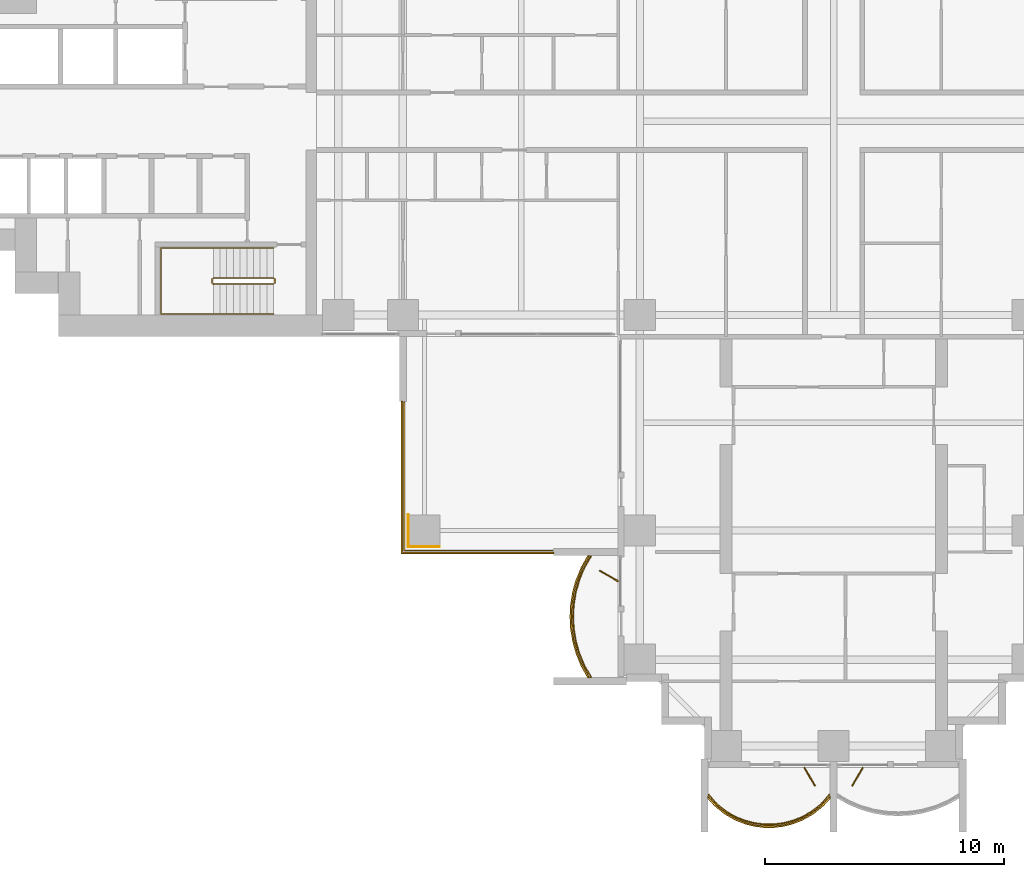
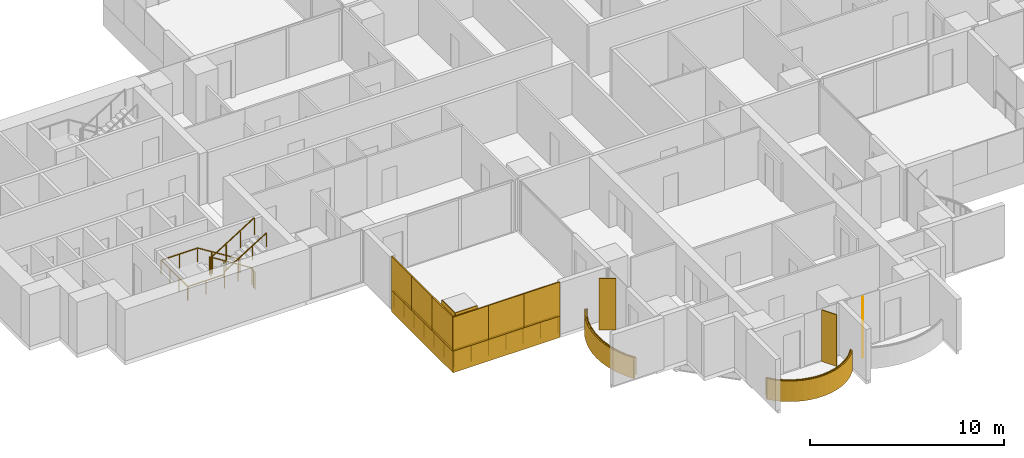
# One storey, part 17 of 20: 11 coverings, 5 railings, 3 shading devices.
"""IFC4 building model written with IfcOpenShell, lengths in metres."""

from ifc_helpers import new_model, si_unit, direction, frame, origin, origin_2d, place, context, subcontext, project, spatial, polyline, rectangle, outline, extrude, material, layer, layer_set, type_object, element, save


model = new_model("IFC4")

# Units and contexts
model_context = context("Model", 3, precision=1e-05, world=origin(), true_north=direction((0.0, 1.0)))
body_context = subcontext(model_context, "Body", "Model", "MODEL_VIEW")
ifc_project = project(units=[si_unit("LENGTHUNIT", "METRE"), si_unit("AREAUNIT", "SQUARE_METRE"), si_unit("VOLUMEUNIT", "CUBIC_METRE"), si_unit("PLANEANGLEUNIT", "RADIAN"), si_unit("MASSUNIT", "GRAM", prefix="KILO")], contexts=[model_context])

# Site, building, storey
site_placement = place(None, origin())
site = spatial("IfcSite", under=ifc_project, at=site_placement, CompositionType="ELEMENT")
building_placement = place(site_placement, origin())
building = spatial("IfcBuilding", under=site, at=building_placement, Name="Perihelion Cross Residences", CompositionType="ELEMENT")
storey_placement = place(building_placement, frame((0.0, 0.0, 82.0)))
storey = spatial("IfcBuildingStorey", under=building, at=storey_placement, Name="L18", CompositionType="ELEMENT", Elevation=82.0)

# Coverings
ifc_material_1 = material(Name="Bronze anodised aluminium", Category="aluminium")
ifc_layer_1 = layer(ifc_material_1, 0.070068359375)
ifc_layer_set_1 = layer_set([ifc_layer_1], Name="Balcony fascia 1300")
covering_type_1 = type_object("IfcCoveringType", Name="Balcony fascia 1300", PredefinedType="CLADDING", material=ifc_layer_set_1)
covering_1_placement = place(storey_placement, frame((0.0, 0.0, -0.199951171875)))
element("IfcCovering", 1, at=covering_1_placement, inside=storey, type_object=covering_type_1, Name="Fascia BF1 L18 south side west bay 2", PredefinedType="CLADDING", context=body_context, shape_type="SweptSolid", body=[
    extrude(outline(polyline([(-10.54833984375, -18.629638671875), (-10.7607421875, -19.147216796875), (-10.906494140625, -19.664794921875), (-10.991943359375, -20.182373046875), (-11.02001953125, -20.699951171875), (-10.991943359375, -21.217529296875), (-10.906494140625, -21.735107421875), (-10.7607421875, -22.2529296875), (-10.54833984375, -22.7705078125), (-10.2802734375, -23.25), (-10.199951171875, -23.25), (-10.4853515625, -22.739990234375), (-10.694580078125, -22.22998046875), (-10.838134765625, -21.719970703125), (-10.92236328125, -21.2099609375), (-10.949951171875, -20.699951171875), (-10.92236328125, -20.18994140625), (-10.838134765625, -19.679931640625), (-10.694580078125, -19.169921875), (-10.4853515625, -18.659912109375), (-10.199951171875, -18.14990234375), (-10.2802734375, -18.14990234375), (-10.54833984375, -18.629638671875)])), origin(), (0.0, 0.0, 1.0), 1.300048828125),
])
covering_2_placement = place(storey_placement, frame((0.0, 0.0, -0.199951171875)))
element("IfcCovering", 2, at=covering_2_placement, inside=storey, type_object=covering_type_1, Name="Fascia BF1 L18 south tip south bay 1", PredefinedType="CLADDING", context=body_context, shape_type="SweptSolid", body=[
    extrude(outline(polyline([(-4.90478515625, -28.674072265625), (-4.50390625, -28.982666015625), (-4.10302734375, -29.20654296875), (-3.7021484375, -29.364013671875), (-3.30126953125, -29.464599609375), (-2.900390625, -29.513916015625), (-2.49951171875, -29.513916015625), (-2.0986328125, -29.464599609375), (-1.69775390625, -29.364013671875), (-1.296875, -29.20654296875), (-0.89599609375, -28.982666015625), (-0.4951171875, -28.674072265625), (-0.14990234375, -28.302734375), (-0.14990234375, -28.199951171875), (-0.542236328125, -28.622314453125), (-0.9345703125, -28.924072265625), (-1.326904296875, -29.143310546875), (-1.71923828125, -29.29736328125), (-2.111572265625, -29.39599609375), (-2.50390625, -29.444091796875), (-2.896240234375, -29.444091796875), (-3.28857421875, -29.39599609375), (-3.6806640625, -29.29736328125), (-4.072998046875, -29.143310546875), (-4.46533203125, -28.924072265625), (-4.857666015625, -28.622314453125), (-5.25, -28.199951171875), (-5.25, -28.302734375), (-4.90478515625, -28.674072265625)])), origin(), (0.0, 0.0, 1.0), 1.300048828125),
])

# Railings
ifc_material_2 = material(Name="Bronze anodised aluminium", Category="aluminium")
railing_type_1 = type_object("IfcRailingType", Name="Balcony guard 1100", PredefinedType="GUARDRAIL", material=ifc_material_2)
railing_1_placement = place(storey_placement, frame((-10.139892578125, -18.175048828125, 0.0)))
element("IfcRailing", 3, at=railing_1_placement, inside=storey, type_object=railing_type_1, Name="Guard GU1 L18 south side west bay 2 balcony", PredefinedType="GUARDRAIL", context=body_context, shape_type="SweptSolid", body=[
    extrude(rectangle(XDim=0.048095703125, YDim=0.048095703125, at=origin_2d()), frame((0.0, 0.0, 1.076171875), z_axis=(-0.507266632806, -0.861789164031, 0.0), x_axis=(0.861789164031, -0.507266632806, 0.0)), (0.0, 0.0, 1.0), 0.562744140625),
    extrude(rectangle(XDim=0.048095703125, YDim=0.048095703125, at=origin_2d()), frame((-0.285400390625, -0.48486328125, 1.076171875), z_axis=(-0.379546636342, -0.925172605972, 0.0), x_axis=(0.925172605972, -0.379546636342, 0.0)), (0.0, 0.0, 1.0), 0.55126953125),
    extrude(rectangle(XDim=0.048095703125, YDim=0.048095703125, at=origin_2d()), frame((-0.49462890625, -0.994873046875, 1.076171875), z_axis=(-0.271372618732, -0.962474364231, 0.0), x_axis=(0.962474364231, -0.271372618732, 0.0)), (0.0, 0.0, 1.0), 0.52978515625),
    extrude(rectangle(XDim=0.048095703125, YDim=0.048095703125, at=origin_2d()), frame((-0.638427734375, -1.5048828125, 1.076171875), z_axis=(-0.162483799314, -0.986711211531, 0.0), x_axis=(0.986711211531, -0.162483799314, 0.0)), (0.0, 0.0, 1.0), 0.516845703125),
    extrude(rectangle(XDim=0.048095703125, YDim=0.048095703125, at=origin_2d()), frame((-0.722412109375, -2.014892578125, 1.076171875), z_axis=(-0.05401390175, -0.998540183677, 0.0), x_axis=(0.998540183677, -0.05401390175, 0.0)), (0.0, 0.0, 1.0), 0.5107421875),
    extrude(rectangle(XDim=0.048095703125, YDim=0.048095703125, at=origin_2d()), frame((-0.75, -2.52490234375, 1.076171875), z_axis=(0.05401390175, -0.998540183677, 0.0), x_axis=(0.998540183677, 0.05401390175, 0.0)), (0.0, 0.0, 1.0), 0.5107421875),
    extrude(rectangle(XDim=0.048095703125, YDim=0.048095703125, at=origin_2d()), frame((-0.722412109375, -3.034912109375, 1.076171875), z_axis=(0.162483799314, -0.986711211531, 0.0), x_axis=(0.986711211531, 0.162483799314, 0.0)), (0.0, 0.0, 1.0), 0.516845703125),
    extrude(rectangle(XDim=0.048095703125, YDim=0.048095703125, at=origin_2d()), frame((-0.638427734375, -3.544921875, 1.076171875), z_axis=(0.271372618732, -0.962474364231, 0.0), x_axis=(0.962474364231, 0.271372618732, 0.0)), (0.0, 0.0, 1.0), 0.52978515625),
    extrude(rectangle(XDim=0.048095703125, YDim=0.048095703125, at=origin_2d()), frame((-0.49462890625, -4.054931640625, 1.076171875), z_axis=(0.379546636342, -0.925172605972, 0.0), x_axis=(0.925172605972, 0.379546636342, 0.0)), (0.0, 0.0, 1.0), 0.55126953125),
    extrude(rectangle(XDim=0.048095703125, YDim=0.048095703125, at=origin_2d()), frame((-0.285400390625, -4.56494140625, 1.076171875), z_axis=(0.507076995033, -0.861900760591, 0.0), x_axis=(0.861900760591, 0.507076995033, 0.0)), (0.0, 0.0, 1.0), 0.562744140625),
    extrude(rectangle(XDim=0.0419921875, YDim=0.0419921875, at=origin_2d()), origin(), (0.0, 0.0, 1.0), 1.052001953125),
    extrude(rectangle(XDim=0.0419921875, YDim=0.0419921875, at=origin_2d()), frame((-0.285400390625, -0.48486328125, 0.0)), (0.0, 0.0, 1.0), 1.052001953125),
    extrude(rectangle(XDim=0.0419921875, YDim=0.0419921875, at=origin_2d()), frame((-0.49462890625, -0.994873046875, 0.0)), (0.0, 0.0, 1.0), 1.052001953125),
    extrude(rectangle(XDim=0.0419921875, YDim=0.0419921875, at=origin_2d()), frame((-0.638427734375, -1.5048828125, 0.0)), (0.0, 0.0, 1.0), 1.052001953125),
    extrude(rectangle(XDim=0.0419921875, YDim=0.0419921875, at=origin_2d()), frame((-0.722412109375, -2.014892578125, 0.0)), (0.0, 0.0, 1.0), 1.052001953125),
    extrude(rectangle(XDim=0.0419921875, YDim=0.0419921875, at=origin_2d()), frame((-0.75, -2.52490234375, 0.0)), (0.0, 0.0, 1.0), 1.052001953125),
    extrude(rectangle(XDim=0.0419921875, YDim=0.0419921875, at=origin_2d()), frame((-0.722412109375, -3.034912109375, 0.0)), (0.0, 0.0, 1.0), 1.052001953125),
    extrude(rectangle(XDim=0.0419921875, YDim=0.0419921875, at=origin_2d()), frame((-0.638427734375, -3.544921875, 0.0)), (0.0, 0.0, 1.0), 1.052001953125),
    extrude(rectangle(XDim=0.0419921875, YDim=0.0419921875, at=origin_2d()), frame((-0.49462890625, -4.054931640625, 0.0)), (0.0, 0.0, 1.0), 1.052001953125),
    extrude(rectangle(XDim=0.0419921875, YDim=0.0419921875, at=origin_2d()), frame((-0.285400390625, -4.56494140625, 0.0)), (0.0, 0.0, 1.0), 1.052001953125),
    extrude(rectangle(XDim=0.0419921875, YDim=0.0419921875, at=origin_2d()), frame((0.0, -5.050048828125, 0.0)), (0.0, 0.0, 1.0), 1.052001953125),
])
railing_2_placement = place(storey_placement, frame((-5.22509765625, -28.139892578125, 0.0)))
element("IfcRailing", 4, at=railing_2_placement, inside=storey, type_object=railing_type_1, Name="Guard GU1 L18 south tip south bay 1 balcony", PredefinedType="GUARDRAIL", context=body_context, shape_type="SweptSolid", body=[
    extrude(rectangle(XDim=0.048095703125, YDim=0.048095703125, at=origin_2d()), frame((0.0, 0.0, 1.076171875), z_axis=(0.656340655493, -0.754464673757, 0.0), x_axis=(0.754464673757, 0.656340655493, 0.0)), (0.0, 0.0, 1.0), 0.559814453125),
    extrude(rectangle(XDim=0.048095703125, YDim=0.048095703125, at=origin_2d()), frame((0.367431640625, -0.42236328125, 1.076171875), z_axis=(0.792660660899, -0.60966308455, 0.0), x_axis=(0.60966308455, 0.792660660899, 0.0)), (0.0, 0.0, 1.0), 0.494873046875),
    extrude(rectangle(XDim=0.048095703125, YDim=0.048095703125, at=origin_2d()), frame((0.759765625, -0.72412109375, 1.076171875), z_axis=(0.872950285698, -0.487809182674, 0.0), x_axis=(0.487809182674, 0.872950285698, 0.0)), (0.0, 0.0, 1.0), 0.449462890625),
    extrude(rectangle(XDim=0.048095703125, YDim=0.048095703125, at=origin_2d()), frame((1.152099609375, -0.943359375, 1.076171875), z_axis=(0.930814842219, -0.365491079925, 0.0), x_axis=(0.365491079925, 0.930814842219, 0.0)), (0.0, 0.0, 1.0), 0.42138671875),
    extrude(rectangle(XDim=0.048095703125, YDim=0.048095703125, at=origin_2d()), frame((1.54443359375, -1.097412109375, 1.076171875), z_axis=(0.969786252666, -0.243956193074, 0.0), x_axis=(0.243956193074, 0.969786252666, 0.0)), (0.0, 0.0, 1.0), 0.404296875),
    extrude(rectangle(XDim=0.048095703125, YDim=0.048095703125, at=origin_2d()), frame((1.9365234375, -1.196044921875, 1.076171875), z_axis=(0.992569651699, -0.121677797999, 0.0), x_axis=(0.121677797999, 0.992569651699, 0.0)), (0.0, 0.0, 1.0), 0.395263671875),
    extrude(rectangle(XDim=0.048095703125, YDim=0.048095703125, at=origin_2d()), frame((2.328857421875, -1.244140625, 1.076171875), z_axis=(1.0, 0.0, 0.0), x_axis=(0.0, 1.0, 0.0)), (0.0, 0.0, 1.0), 0.392333984375),
    extrude(rectangle(XDim=0.048095703125, YDim=0.048095703125, at=origin_2d()), frame((2.72119140625, -1.244140625, 1.076171875), z_axis=(0.992569651699, 0.121677797999, 0.0), x_axis=(-0.121677797999, 0.992569651699, 0.0)), (0.0, 0.0, 1.0), 0.395263671875),
    extrude(rectangle(XDim=0.048095703125, YDim=0.048095703125, at=origin_2d()), frame((3.113525390625, -1.196044921875, 1.076171875), z_axis=(0.969822159145, 0.243813411509, 0.0), x_axis=(-0.243813411509, 0.969822159145, 0.0)), (0.0, 0.0, 1.0), 0.404541015625),
    extrude(rectangle(XDim=0.048095703125, YDim=0.048095703125, at=origin_2d()), frame((3.505859375, -1.097412109375, 1.076171875), z_axis=(0.930814842219, 0.365491079925, 0.0), x_axis=(-0.365491079925, 0.930814842219, 0.0)), (0.0, 0.0, 1.0), 0.42138671875),
    extrude(rectangle(XDim=0.048095703125, YDim=0.048095703125, at=origin_2d()), frame((3.898193359375, -0.943359375, 1.076171875), z_axis=(0.872950285698, 0.487809182674, 0.0), x_axis=(-0.487809182674, 0.872950285698, 0.0)), (0.0, 0.0, 1.0), 0.449462890625),
    extrude(rectangle(XDim=0.048095703125, YDim=0.048095703125, at=origin_2d()), frame((4.29052734375, -0.72412109375, 1.076171875), z_axis=(0.792660660899, 0.60966308455, 0.0), x_axis=(-0.60966308455, 0.792660660899, 0.0)), (0.0, 0.0, 1.0), 0.494873046875),
    extrude(rectangle(XDim=0.048095703125, YDim=0.048095703125, at=origin_2d()), frame((4.682861328125, -0.42236328125, 1.076171875), z_axis=(0.656092309534, 0.754680648599, 0.0), x_axis=(-0.754680648599, 0.656092309534, 0.0)), (0.0, 0.0, 1.0), 0.5595703125),
    extrude(rectangle(XDim=0.0419921875, YDim=0.0419921875, at=origin_2d()), origin(), (0.0, 0.0, 1.0), 1.052001953125),
    extrude(rectangle(XDim=0.0419921875, YDim=0.0419921875, at=origin_2d()), frame((0.367431640625, -0.42236328125, 0.0)), (0.0, 0.0, 1.0), 1.052001953125),
    extrude(rectangle(XDim=0.0419921875, YDim=0.0419921875, at=origin_2d()), frame((0.759765625, -0.72412109375, 0.0)), (0.0, 0.0, 1.0), 1.052001953125),
    extrude(rectangle(XDim=0.0419921875, YDim=0.0419921875, at=origin_2d()), frame((1.152099609375, -0.943359375, 0.0)), (0.0, 0.0, 1.0), 1.052001953125),
    extrude(rectangle(XDim=0.0419921875, YDim=0.0419921875, at=origin_2d()), frame((1.54443359375, -1.097412109375, 0.0)), (0.0, 0.0, 1.0), 1.052001953125),
    extrude(rectangle(XDim=0.0419921875, YDim=0.0419921875, at=origin_2d()), frame((1.9365234375, -1.196044921875, 0.0)), (0.0, 0.0, 1.0), 1.052001953125),
    extrude(rectangle(XDim=0.0419921875, YDim=0.0419921875, at=origin_2d()), frame((2.328857421875, -1.244140625, 0.0)), (0.0, 0.0, 1.0), 1.052001953125),
    extrude(rectangle(XDim=0.0419921875, YDim=0.0419921875, at=origin_2d()), frame((2.72119140625, -1.244140625, 0.0)), (0.0, 0.0, 1.0), 1.052001953125),
    extrude(rectangle(XDim=0.0419921875, YDim=0.0419921875, at=origin_2d()), frame((3.113525390625, -1.196044921875, 0.0)), (0.0, 0.0, 1.0), 1.052001953125),
    extrude(rectangle(XDim=0.0419921875, YDim=0.0419921875, at=origin_2d()), frame((3.505859375, -1.097412109375, 0.0)), (0.0, 0.0, 1.0), 1.052001953125),
    extrude(rectangle(XDim=0.0419921875, YDim=0.0419921875, at=origin_2d()), frame((3.898193359375, -0.943359375, 0.0)), (0.0, 0.0, 1.0), 1.052001953125),
    extrude(rectangle(XDim=0.0419921875, YDim=0.0419921875, at=origin_2d()), frame((4.29052734375, -0.72412109375, 0.0)), (0.0, 0.0, 1.0), 1.052001953125),
    extrude(rectangle(XDim=0.0419921875, YDim=0.0419921875, at=origin_2d()), frame((4.682861328125, -0.42236328125, 0.0)), (0.0, 0.0, 1.0), 1.052001953125),
    extrude(rectangle(XDim=0.0419921875, YDim=0.0419921875, at=origin_2d()), frame((5.050048828125, 0.0, 0.0)), (0.0, 0.0, 1.0), 1.052001953125),
])
railing_3_placement = place(storey_placement, frame((-11.739990234375, -17.93994140625, 0.0)))
element("IfcRailing", 5, at=railing_3_placement, inside=storey, type_object=railing_type_1, Name="Guard GU1 L18 pocket south-west 1", PredefinedType="GUARDRAIL", context=body_context, shape_type="SweptSolid", body=[
    extrude(rectangle(XDim=0.048095703125, YDim=0.048095703125, at=origin_2d()), frame((0.0, 0.0, 1.076171875), z_axis=(-1.0, 0.0, 0.0), x_axis=(0.0, -1.0, 0.0)), (0.0, 0.0, 1.0), 6.199951171875),
    extrude(rectangle(XDim=0.048095703125, YDim=0.048095703125, at=origin_2d()), frame((-6.199951171875, 0.0, 1.076171875), z_axis=(0.0, 1.0, 0.0), x_axis=(-1.0, 0.0, 0.0)), (0.0, 0.0, 1.0), 6.199951171875),
    extrude(rectangle(XDim=0.0419921875, YDim=0.0419921875, at=origin_2d()), origin(), (0.0, 0.0, 1.0), 1.052001953125),
    extrude(rectangle(XDim=0.0419921875, YDim=0.0419921875, at=origin_2d()), frame((-1.033203125, 0.0, 0.0)), (0.0, 0.0, 1.0), 1.052001953125),
    extrude(rectangle(XDim=0.0419921875, YDim=0.0419921875, at=origin_2d()), frame((-2.066650390625, 0.0, 0.0)), (0.0, 0.0, 1.0), 1.052001953125),
    extrude(rectangle(XDim=0.0419921875, YDim=0.0419921875, at=origin_2d()), frame((-3.10009765625, 0.0, 0.0)), (0.0, 0.0, 1.0), 1.052001953125),
    extrude(rectangle(XDim=0.0419921875, YDim=0.0419921875, at=origin_2d()), frame((-4.13330078125, 0.0, 0.0)), (0.0, 0.0, 1.0), 1.052001953125),
    extrude(rectangle(XDim=0.0419921875, YDim=0.0419921875, at=origin_2d()), frame((-5.16650390625, 0.0, 0.0)), (0.0, 0.0, 1.0), 1.052001953125),
    extrude(rectangle(XDim=0.0419921875, YDim=0.0419921875, at=origin_2d()), frame((-6.199951171875, 0.0, 0.0)), (0.0, 0.0, 1.0), 1.052001953125),
    extrude(rectangle(XDim=0.0419921875, YDim=0.0419921875, at=origin_2d()), frame((-6.199951171875, 1.033203125, 0.0)), (0.0, 0.0, 1.0), 1.052001953125),
    extrude(rectangle(XDim=0.0419921875, YDim=0.0419921875, at=origin_2d()), frame((-6.199951171875, 2.066650390625, 0.0)), (0.0, 0.0, 1.0), 1.052001953125),
    extrude(rectangle(XDim=0.0419921875, YDim=0.0419921875, at=origin_2d()), frame((-6.199951171875, 3.10009765625, 0.0)), (0.0, 0.0, 1.0), 1.052001953125),
    extrude(rectangle(XDim=0.0419921875, YDim=0.0419921875, at=origin_2d()), frame((-6.199951171875, 4.13330078125, 0.0)), (0.0, 0.0, 1.0), 1.052001953125),
    extrude(rectangle(XDim=0.0419921875, YDim=0.0419921875, at=origin_2d()), frame((-6.199951171875, 5.16650390625, 0.0)), (0.0, 0.0, 1.0), 1.052001953125),
    extrude(rectangle(XDim=0.0419921875, YDim=0.0419921875, at=origin_2d()), frame((-6.199951171875, 6.199951171875, 0.0)), (0.0, 0.0, 1.0), 1.052001953125),
])

# Coverings
ifc_material_3 = material(Name="Bronze anodised aluminium", Category="aluminium")
ifc_layer_2 = layer(ifc_material_3, 0.0400390625)
ifc_layer_set_2 = layer_set([ifc_layer_2], Name="Bronze column casing 40")
covering_type_2 = type_object("IfcCoveringType", Name="Bronze column casing 40", PredefinedType="CLADDING", material=ifc_layer_set_2)
covering_3_placement = place(storey_placement, frame((-17.77001953125, -17.10009765625, -0.25), z_axis=(0.0, 0.0, 1.0), x_axis=(1.0, 0.0, 0.0)))
element("IfcCovering", 6, at=covering_3_placement, inside=storey, type_object=covering_type_2, Name="Cladding CC1 L18 casing east-west no. 1", PredefinedType="CLADDING", context=body_context, shape_type="SweptSolid", body=[
    extrude(rectangle(XDim=0.0400390625, YDim=1.3798828125, at=origin_2d()), origin(), (0.0, 0.0, 1.0), 3.5),
])
covering_4_placement = place(storey_placement, frame((-17.10009765625, -17.77001953125, -0.25), z_axis=(0.0, 0.0, 1.0), x_axis=(1.0, 0.0, 0.0)))
element("IfcCovering", 7, at=covering_4_placement, inside=storey, type_object=covering_type_2, Name="Cladding CC1 L18 casing north-south no. 1", PredefinedType="CLADDING", context=body_context, shape_type="SweptSolid", body=[
    extrude(rectangle(XDim=1.300048828125, YDim=0.0400390625, at=origin_2d()), origin(), (0.0, 0.0, 1.0), 3.5),
])

# Shading devices
ifc_material_4 = material(Name="Bronze anodised aluminium", Category="aluminium")
ifc_layer_3 = layer(ifc_material_4, 0.050048828125)
ifc_layer_set_3 = layer_set([ifc_layer_3], Name="Bronze fin 900")
shading_device_type = type_object("IfcShadingDeviceType", Name="Bronze fin 900", PredefinedType="USERDEFINED", material=ifc_layer_set_3)
for number, where, z_axis, x_axis, name in (
    (8, (-9.3896484375, -19.0, 0.0), (0.0, 0.0, 1.0), (-0.866025403784, 0.5, 0.0), "Fin FN1 L18 south side west bay 2"),
    (9, (-1.0, -27.3896484375, 0.0), (0.0, 0.0, 1.0), (0.5, -0.866025403784, 0.0), "Fin FN1 L18 south tip south bay 1"),
    (10, (1.0, -27.3896484375, 0.0), (0.0, 0.0, 1.0), (-0.5, -0.866025403784, 0.0), "Fin FN1 L18 south tip south bay 2"),
):
    element("IfcShadingDevice", number, at=place(storey_placement, frame(where, z_axis=z_axis, x_axis=x_axis)), inside=storey, type_object=shading_device_type, Name=name, ObjectType="FIN", PredefinedType="USERDEFINED", context=body_context, shape_type="SweptSolid", body=[
        extrude(rectangle(XDim=0.89990234375, YDim=0.050048828125, at=origin_2d()), origin(), (0.0, 0.0, 1.0), 3.25),
    ])

# Coverings
ifc_material_5 = material(Name="Bronze anodised aluminium", Category="aluminium")
ifc_layer_4 = layer(ifc_material_5, 0.070068359375)
ifc_layer_set_4 = layer_set([ifc_layer_4], Name="Pocket fascia 1350")
covering_type_3 = type_object("IfcCoveringType", Name="Pocket fascia 1350", PredefinedType="CLADDING", material=ifc_layer_set_4)
covering_5_placement = place(storey_placement, frame((0.0, 0.0, -0.25)))
element("IfcCovering", 11, at=covering_5_placement, inside=storey, type_object=covering_type_3, Name="Fascia BF2 L18 pocket south-west 1", PredefinedType="CLADDING", context=body_context, shape_type="SweptSolid", body=[
    extrude(outline(polyline([(-18.070068359375, -11.699951171875), (-18.070068359375, -18.070068359375), (-11.699951171875, -18.070068359375), (-11.699951171875, -18.0), (-18.0, -18.0), (-18.0, -11.699951171875), (-18.070068359375, -11.699951171875)])), origin(), (0.0, 0.0, 1.0), 1.35009765625),
])
ifc_material_6 = material(Name="Bronze perforated aluminium", Category="aluminium")
ifc_layer_5 = layer(ifc_material_6, 0.070068359375)
ifc_layer_set_5 = layer_set([ifc_layer_5], Name="Pocket solar screen, bronze perforated")
covering_type_4 = type_object("IfcCoveringType", Name="Pocket solar screen, bronze perforated", PredefinedType="CLADDING", material=ifc_layer_set_5)
covering_6_placement = place(storey_placement, frame((0.0, 0.0, 1.10009765625)))
element("IfcCovering", 12, at=covering_6_placement, inside=storey, type_object=covering_type_4, Name="Solar screen PS1 L18 pocket south-west no. 1", PredefinedType="CLADDING", context=body_context, shape_type="SweptSolid", body=[
    extrude(outline(polyline([(-18.0, -18.0), (-18.0, -15.89990234375), (-18.070068359375, -15.89990234375), (-18.070068359375, -18.0), (-18.0, -18.0)])), origin(), (0.0, 0.0, 1.0), 2.14990234375),
])
covering_7_placement = place(storey_placement, frame((0.0, 0.0, 1.10009765625)))
element("IfcCovering", 13, at=covering_7_placement, inside=storey, type_object=covering_type_4, Name="Solar screen PS1 L18 pocket south-west no. 2", PredefinedType="CLADDING", context=body_context, shape_type="SweptSolid", body=[
    extrude(outline(polyline([(-18.0, -15.89990234375), (-18.0, -13.800048828125), (-18.070068359375, -13.800048828125), (-18.070068359375, -15.89990234375), (-18.0, -15.89990234375)])), origin(), (0.0, 0.0, 1.0), 2.14990234375),
])
covering_8_placement = place(storey_placement, frame((0.0, 0.0, 1.10009765625)))
element("IfcCovering", 14, at=covering_8_placement, inside=storey, type_object=covering_type_4, Name="Solar screen PS1 L18 pocket south-west no. 3", PredefinedType="CLADDING", context=body_context, shape_type="SweptSolid", body=[
    extrude(outline(polyline([(-18.0, -13.800048828125), (-18.0, -11.699951171875), (-18.070068359375, -11.699951171875), (-18.070068359375, -13.800048828125), (-18.0, -13.800048828125)])), origin(), (0.0, 0.0, 1.0), 2.14990234375),
])
covering_9_placement = place(storey_placement, frame((0.0, 0.0, 1.10009765625)))
element("IfcCovering", 15, at=covering_9_placement, inside=storey, type_object=covering_type_4, Name="Solar screen PS1 L18 pocket south-west no. 4", PredefinedType="CLADDING", context=body_context, shape_type="SweptSolid", body=[
    extrude(outline(polyline([(-15.94677734375, -18.070068359375), (-15.94677734375, -18.0), (-18.070068359375, -18.0), (-18.070068359375, -18.070068359375), (-15.94677734375, -18.070068359375)])), origin(), (0.0, 0.0, 1.0), 2.14990234375),
])
covering_10_placement = place(storey_placement, frame((0.0, 0.0, 1.10009765625)))
element("IfcCovering", 16, at=covering_10_placement, inside=storey, type_object=covering_type_4, Name="Solar screen PS1 L18 pocket south-west no. 5", PredefinedType="CLADDING", context=body_context, shape_type="SweptSolid", body=[
    extrude(outline(polyline([(-13.8232421875, -18.070068359375), (-13.8232421875, -18.0), (-15.94677734375, -18.0), (-15.94677734375, -18.070068359375), (-13.8232421875, -18.070068359375)])), origin(), (0.0, 0.0, 1.0), 2.14990234375),
])
covering_11_placement = place(storey_placement, frame((0.0, 0.0, 1.10009765625)))
element("IfcCovering", 17, at=covering_11_placement, inside=storey, type_object=covering_type_4, Name="Solar screen PS1 L18 pocket south-west no. 6", PredefinedType="CLADDING", context=body_context, shape_type="SweptSolid", body=[
    extrude(outline(polyline([(-11.699951171875, -18.070068359375), (-11.699951171875, -18.0), (-13.8232421875, -18.0), (-13.8232421875, -18.070068359375), (-11.699951171875, -18.070068359375)])), origin(), (0.0, 0.0, 1.0), 2.14990234375),
])

# Railings
ifc_material_7 = material(Name="Stainless steel", Category="steel")
railing_type_2 = type_object("IfcRailingType", Name="Stair guard 1100", PredefinedType="GUARDRAIL", material=ifc_material_7)
railing_4_placement = place(storey_placement, frame((-23.35009765625, -6.75, 0.0)))
element("IfcRailing", 18, at=railing_4_placement, inside=storey, type_object=railing_type_2, Name="L18 ST-W2 stair guard 1", PredefinedType="GUARDRAIL", context=body_context, shape_type="SweptSolid", body=[
    extrude(rectangle(XDim=0.048095703125, YDim=0.048095703125, at=origin_2d()), frame((0.0, 0.0, 1.076171875), z_axis=(0.0, 1.0, 0.0), x_axis=(-1.0, 0.0, 0.0)), (0.0, 0.0, 1.0), 0.14990234375),
    extrude(rectangle(XDim=0.048095703125, YDim=0.048095703125, at=origin_2d()), frame((0.0, 0.14990234375, 1.076171875), z_axis=(-0.263862480399, 0.265155923931, 0.927399011991), x_axis=(-0.708833529934, -0.705375805398, 0.0)), (0.0, 0.0, 1.0), 0.188720703125),
    extrude(rectangle(XDim=0.048095703125, YDim=0.048095703125, at=origin_2d()), frame((-0.0498046875, 0.199951171875, 1.2509765625), z_axis=(-0.848007534815, 0.0, 0.529984170421), x_axis=(0.0, -1.0, 0.0)), (0.0, 0.0, 1.0), 2.9716796875),
    extrude(rectangle(XDim=0.048095703125, YDim=0.048095703125, at=origin_2d()), frame((-2.56982421875, 0.199951171875, 2.826171875), z_axis=(-0.707106781187, -0.707106781187, 0.0), x_axis=(0.707106781187, -0.707106781187, 0.0)), (0.0, 0.0, 1.0), 0.07080078125),
    extrude(rectangle(XDim=0.048095703125, YDim=0.048095703125, at=origin_2d()), frame((-2.619873046875, 0.14990234375, 2.826171875), z_axis=(0.0, -1.0, 0.0), x_axis=(1.0, 0.0, 0.0)), (0.0, 0.0, 1.0), 0.14990234375),
    extrude(rectangle(XDim=0.048095703125, YDim=0.048095703125, at=origin_2d()), frame((-2.619873046875, 0.0, 2.826171875), z_axis=(0.265065253269, -0.265065253269, 0.927081885822), x_axis=(0.707106781187, 0.707106781187, 0.0)), (0.0, 0.0, 1.0), 0.188720703125),
    extrude(rectangle(XDim=0.048095703125, YDim=0.048095703125, at=origin_2d()), frame((-2.56982421875, -0.050048828125, 3.0009765625), z_axis=(0.848007534815, 0.0, 0.529984170421), x_axis=(0.0, 1.0, 0.0)), (0.0, 0.0, 1.0), 2.9716796875),
    extrude(rectangle(XDim=0.0419921875, YDim=0.0419921875, at=origin_2d()), origin(), (0.0, 0.0, 1.0), 1.052001953125),
    extrude(rectangle(XDim=0.0419921875, YDim=0.0419921875, at=origin_2d()), frame((0.0, 0.14990234375, 0.0)), (0.0, 0.0, 1.0), 1.052001953125),
    extrude(rectangle(XDim=0.0419921875, YDim=0.0419921875, at=origin_2d()), frame((-0.0498046875, 0.199951171875, 0.175048828125)), (0.0, 0.0, 1.0), 1.052001953125),
    extrude(rectangle(XDim=0.0419921875, YDim=0.0419921875, at=origin_2d()), frame((-0.889892578125, 0.199951171875, 0.699951171875)), (0.0, 0.0, 1.0), 1.052001953125),
    extrude(rectangle(XDim=0.0419921875, YDim=0.0419921875, at=origin_2d()), frame((-1.729736328125, 0.199951171875, 1.22509765625)), (0.0, 0.0, 1.0), 1.052001953125),
    extrude(rectangle(XDim=0.0419921875, YDim=0.0419921875, at=origin_2d()), frame((-2.56982421875, 0.199951171875, 1.75)), (0.0, 0.0, 1.0), 1.052001953125),
    extrude(rectangle(XDim=0.0419921875, YDim=0.0419921875, at=origin_2d()), frame((-2.619873046875, 0.14990234375, 1.75)), (0.0, 0.0, 1.0), 1.052001953125),
    extrude(rectangle(XDim=0.0419921875, YDim=0.0419921875, at=origin_2d()), frame((-2.619873046875, 0.0, 1.75)), (0.0, 0.0, 1.0), 1.052001953125),
    extrude(rectangle(XDim=0.0419921875, YDim=0.0419921875, at=origin_2d()), frame((-2.56982421875, -0.050048828125, 1.925048828125)), (0.0, 0.0, 1.0), 1.052001953125),
    extrude(rectangle(XDim=0.0419921875, YDim=0.0419921875, at=origin_2d()), frame((-1.729736328125, -0.050048828125, 2.449951171875)), (0.0, 0.0, 1.0), 1.052001953125),
    extrude(rectangle(XDim=0.0419921875, YDim=0.0419921875, at=origin_2d()), frame((-0.889892578125, -0.050048828125, 2.97509765625)), (0.0, 0.0, 1.0), 1.052001953125),
    extrude(rectangle(XDim=0.0419921875, YDim=0.0419921875, at=origin_2d()), frame((-0.0498046875, -0.050048828125, 3.5)), (0.0, 0.0, 1.0), 1.052001953125),
])
ifc_material_8 = material(Name="Stainless steel", Category="steel")
railing_type_3 = type_object("IfcRailingType", Name="Stair handrail 900", PredefinedType="HANDRAIL", material=ifc_material_8)
railing_5_placement = place(storey_placement, frame((-23.39990234375, -5.300048828125, 0.175048828125)))
element("IfcRailing", 19, at=railing_5_placement, inside=storey, type_object=railing_type_3, Name="L18 ST-W2 stair handrail 1", PredefinedType="HANDRAIL", context=body_context, shape_type="SweptSolid", body=[
    extrude(rectangle(XDim=0.048095703125, YDim=0.048095703125, at=origin_2d()), frame((0.0, 0.0, 0.8759765625), z_axis=(-0.848007534815, 0.0, 0.529984170421), x_axis=(0.0, -1.0, 0.0)), (0.0, 0.0, 1.0), 2.9716796875),
    extrude(rectangle(XDim=0.048095703125, YDim=0.048095703125, at=origin_2d()), frame((-2.52001953125, 0.0, 2.45068359375), z_axis=(-1.0, 0.0, 0.0), x_axis=(0.0, -1.0, 0.0)), (0.0, 0.0, 1.0), 2.18017578125),
    extrude(rectangle(XDim=0.048095703125, YDim=0.048095703125, at=origin_2d()), frame((-4.7001953125, 0.0, 2.45068359375), z_axis=(0.0, -1.0, 0.0), x_axis=(1.0, 0.0, 0.0)), (0.0, 0.0, 1.0), 2.75),
    extrude(rectangle(XDim=0.048095703125, YDim=0.048095703125, at=origin_2d()), frame((-4.7001953125, -2.75, 2.45068359375), z_axis=(1.0, 0.0, 0.0), x_axis=(0.0, 1.0, 0.0)), (0.0, 0.0, 1.0), 2.18017578125),
    extrude(rectangle(XDim=0.048095703125, YDim=0.048095703125, at=origin_2d()), frame((-2.52001953125, -2.75, 2.45068359375), z_axis=(0.0, 0.0, 1.0), x_axis=(1.0, 0.0, 0.0)), (0.0, 0.0, 1.0), 0.175048828125),
    extrude(rectangle(XDim=0.048095703125, YDim=0.048095703125, at=origin_2d()), frame((-2.52001953125, -2.75, 2.6259765625), z_axis=(0.848007534815, 0.0, 0.529984170421), x_axis=(0.0, 1.0, 0.0)), (0.0, 0.0, 1.0), 2.9716796875),
    extrude(rectangle(XDim=0.0419921875, YDim=0.0419921875, at=origin_2d()), origin(), (0.0, 0.0, 1.0), 0.851806640625),
    extrude(rectangle(XDim=0.0419921875, YDim=0.0419921875, at=origin_2d()), frame((-0.840087890625, 0.0, 0.52490234375)), (0.0, 0.0, 1.0), 0.851806640625),
    extrude(rectangle(XDim=0.0419921875, YDim=0.0419921875, at=origin_2d()), frame((-1.679931640625, 0.0, 1.050048828125)), (0.0, 0.0, 1.0), 0.851806640625),
    extrude(rectangle(XDim=0.0419921875, YDim=0.0419921875, at=origin_2d()), frame((-2.52001953125, 0.0, 1.574951171875)), (0.0, 0.0, 1.0), 0.851806640625),
    extrude(rectangle(XDim=0.0419921875, YDim=0.0419921875, at=origin_2d()), frame((-3.610107421875, 0.0, 1.574951171875)), (0.0, 0.0, 1.0), 0.851806640625),
    extrude(rectangle(XDim=0.0419921875, YDim=0.0419921875, at=origin_2d()), frame((-4.7001953125, 0.0, 1.574951171875)), (0.0, 0.0, 1.0), 0.851806640625),
    extrude(rectangle(XDim=0.0419921875, YDim=0.0419921875, at=origin_2d()), frame((-4.7001953125, -0.916748046875, 1.574951171875)), (0.0, 0.0, 1.0), 0.851806640625),
    extrude(rectangle(XDim=0.0419921875, YDim=0.0419921875, at=origin_2d()), frame((-4.7001953125, -1.833251953125, 1.574951171875)), (0.0, 0.0, 1.0), 0.851806640625),
    extrude(rectangle(XDim=0.0419921875, YDim=0.0419921875, at=origin_2d()), frame((-4.7001953125, -2.75, 1.574951171875)), (0.0, 0.0, 1.0), 0.851806640625),
    extrude(rectangle(XDim=0.0419921875, YDim=0.0419921875, at=origin_2d()), frame((-3.610107421875, -2.75, 1.574951171875)), (0.0, 0.0, 1.0), 0.851806640625),
    extrude(rectangle(XDim=0.0419921875, YDim=0.0419921875, at=origin_2d()), frame((-2.52001953125, -2.75, 1.574951171875)), (0.0, 0.0, 1.0), 0.851806640625),
    extrude(rectangle(XDim=0.0419921875, YDim=0.0419921875, at=origin_2d()), frame((-2.52001953125, -2.75, 1.75)), (0.0, 0.0, 1.0), 0.851806640625),
    extrude(rectangle(XDim=0.0419921875, YDim=0.0419921875, at=origin_2d()), frame((-1.679931640625, -2.75, 2.27490234375)), (0.0, 0.0, 1.0), 0.851806640625),
    extrude(rectangle(XDim=0.0419921875, YDim=0.0419921875, at=origin_2d()), frame((-0.840087890625, -2.75, 2.800048828125)), (0.0, 0.0, 1.0), 0.851806640625),
    extrude(rectangle(XDim=0.0419921875, YDim=0.0419921875, at=origin_2d()), frame((0.0, -2.75, 3.324951171875)), (0.0, 0.0, 1.0), 0.851806640625),
])

save(model, "model.ifc")
